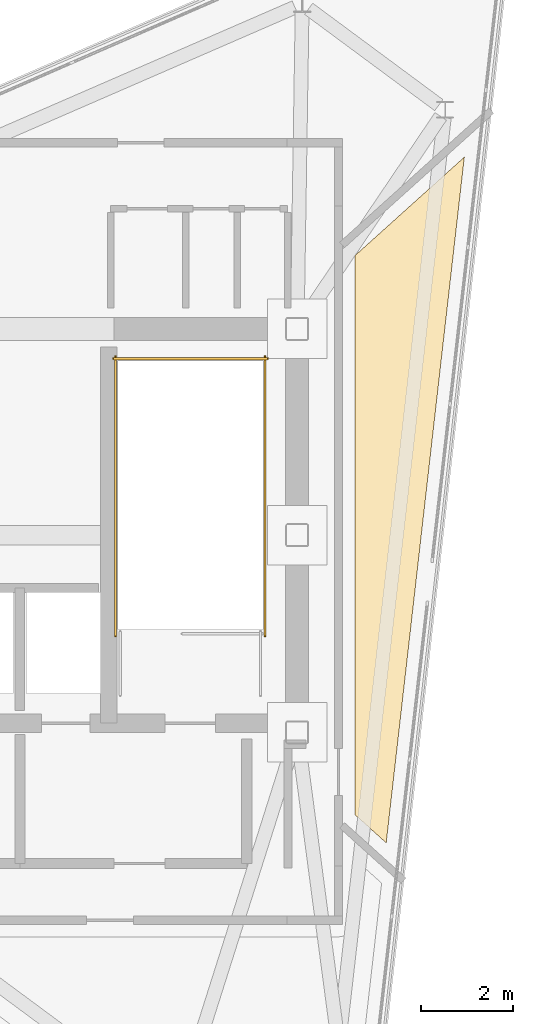
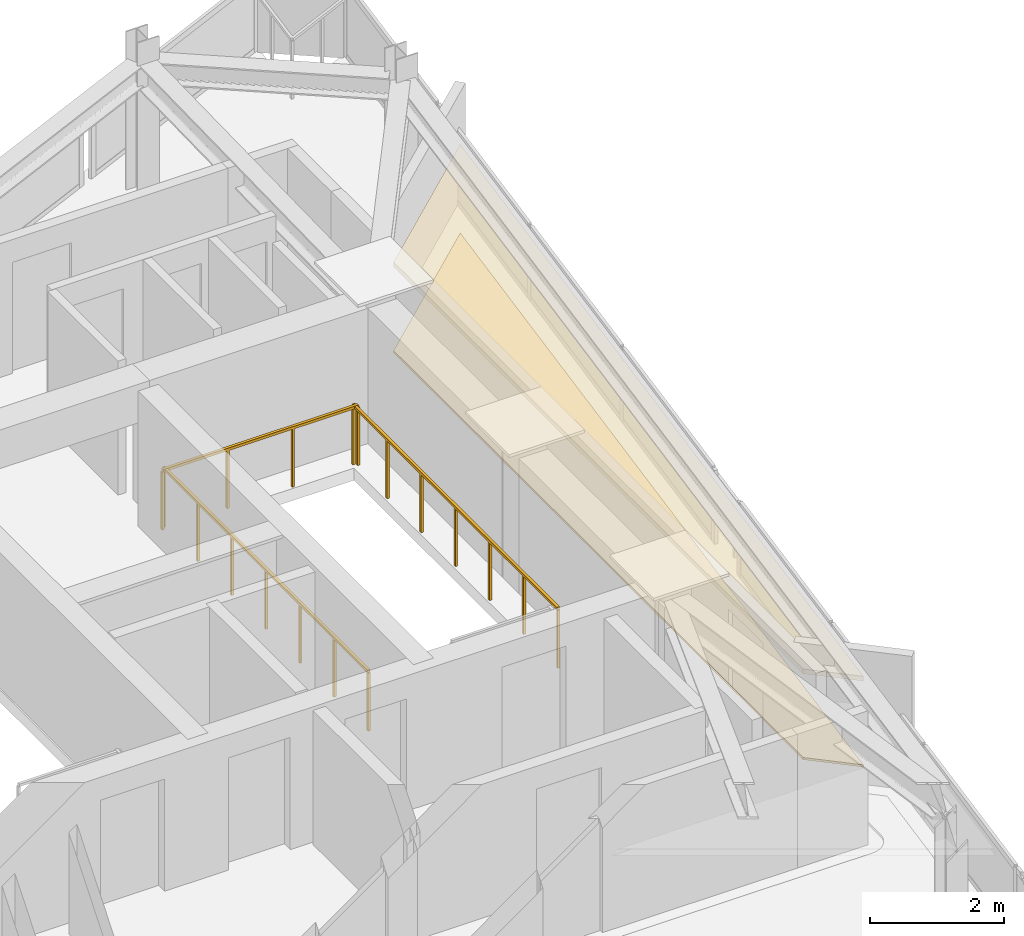
# One storey, part 9 of 9: 3 railings, 2 coverings.
"""IFC4 building model written with IfcOpenShell, lengths in metres."""

from ifc_helpers import new_model, si_unit, direction, frame, origin, origin_2d, place, context, subcontext, project, spatial, polyline, rectangle, outline, extrude, material, layer, layer_set, type_object, element, save


model = new_model("IFC4")

# Units and contexts
model_context = context("Model", 3, precision=1e-05, world=origin(), true_north=direction((0.0, 1.0)))
body_context = subcontext(model_context, "Body", "Model", "MODEL_VIEW")
ifc_project = project(units=[si_unit("LENGTHUNIT", "METRE"), si_unit("AREAUNIT", "SQUARE_METRE"), si_unit("VOLUMEUNIT", "CUBIC_METRE"), si_unit("PLANEANGLEUNIT", "RADIAN"), si_unit("MASSUNIT", "GRAM", prefix="KILO")], contexts=[model_context])

# Site, building, storey
site_placement = place(None, origin())
site = spatial("IfcSite", under=ifc_project, at=site_placement, CompositionType="ELEMENT")
building_placement = place(site_placement, origin())
building = spatial("IfcBuilding", under=site, at=building_placement, Name="Rocaltana Carrier Exchange", CompositionType="ELEMENT")
storey_placement = place(building_placement, frame((0.0, 0.0, 254.8798828125)))
storey = spatial("IfcBuildingStorey", under=building, at=storey_placement, Name="L81", CompositionType="ELEMENT", Elevation=254.8798828125)

# Coverings
ifc_material_1 = material(Name="Honed Bogota Sandstone Tile", Category="masonry")
ifc_layer_1 = layer(ifc_material_1, 0.0400390625)
ifc_layer_set_1 = layer_set([ifc_layer_1], Name="Honed Bogota Sandstone Tile")
covering_type_1 = type_object("IfcCoveringType", Name="Honed Stone Lobby Flooring 40", PredefinedType="FLOORING", material=ifc_layer_set_1)
covering_1_placement = place(storey_placement, origin())
element("IfcCovering", 1, at=covering_1_placement, inside=storey, type_object=covering_type_1, Name="L81 Protocol Calibration Laboratory Finish Floor", PredefinedType="FLOORING", context=body_context, shape_type="SweptSolid", body=[
    extrude(outline(polyline([(7.991455078125, -6.711181640625), (7.31005859375, -6.097412109375), (7.31005859375, 6.097412109375), (9.695556640625, 8.24560546875), (7.991455078125, -6.711181640625)])), origin(), (0.0, 0.0, 1.0), 0.0400390625),
])
ifc_material_2 = material(Name="Anodised Aluminium 6063-T6", Category="aluminium")
ifc_layer_2 = layer(ifc_material_2, 0.0849609375)
ifc_layer_set_2 = layer_set([ifc_layer_2], Name="Anodised Aluminium 6063-T6")
covering_type_2 = type_object("IfcCoveringType", Name="Linear Baffle Acoustic Ceiling 85", PredefinedType="CEILING", material=ifc_layer_set_2)
covering_2_placement = place(storey_placement, frame((0.0, 0.0, 1.563232421875)))
element("IfcCovering", 2, at=covering_2_placement, inside=storey, type_object=covering_type_2, Name="L81 Protocol Calibration Laboratory Acoustic Ceiling", PredefinedType="CEILING", context=body_context, shape_type="SweptSolid", body=[
    extrude(outline(polyline([(7.991455078125, -6.711181640625), (7.31005859375, -6.097412109375), (7.31005859375, 6.097412109375), (9.695556640625, 8.24560546875), (7.991455078125, -6.711181640625)])), origin(), (0.0, 0.0, 1.0), 0.0849609375),
])

# Railings
ifc_material_3 = material(Name="Powder-Coated Aluminium 6063-T6", Category="aluminium")
ifc_layer_3 = layer(ifc_material_3, 0.048095703125)
ifc_layer_set_3 = layer_set([ifc_layer_3], Name="Powder-Coated Aluminium 6063-T6")
railing_type = type_object("IfcRailingType", Name="Stair Well Guardrail 1100", PredefinedType="GUARDRAIL", material=ifc_layer_set_3)
for number, where, name in (
    (3, (5.35009765625, -2.199951171875, 0.0), "L81 ST-2 top well guard 2"),
    (4, (2.090087890625, -2.199951171875, 0.0), "L81 ST-2 top well guard 3"),
):
    element("IfcRailing", number, at=place(storey_placement, frame(where)), inside=storey, type_object=railing_type, Name=name, PredefinedType="GUARDRAIL", context=body_context, shape_type="SweptSolid", body=[
        extrude(rectangle(XDim=0.048095703125, YDim=0.048095703125, at=origin_2d()), frame((0.0, 0.0, 1.076171875), z_axis=(0.0, 1.0, 0.0), x_axis=(-1.0, 0.0, 0.0)), (0.0, 0.0, 1.0), 6.099853515625),
        extrude(rectangle(XDim=0.0419921875, YDim=0.0419921875, at=origin_2d()), origin(), (0.0, 0.0, 1.0), 1.052001953125),
        extrude(rectangle(XDim=0.0419921875, YDim=0.0419921875, at=origin_2d()), frame((0.0, 1.0166015625, 0.0)), (0.0, 0.0, 1.0), 1.052001953125),
        extrude(rectangle(XDim=0.0419921875, YDim=0.0419921875, at=origin_2d()), frame((0.0, 2.033203125, 0.0)), (0.0, 0.0, 1.0), 1.052001953125),
        extrude(rectangle(XDim=0.0419921875, YDim=0.0419921875, at=origin_2d()), frame((0.0, 3.0498046875, 0.0)), (0.0, 0.0, 1.0), 1.052001953125),
        extrude(rectangle(XDim=0.0419921875, YDim=0.0419921875, at=origin_2d()), frame((0.0, 4.066650390625, 0.0)), (0.0, 0.0, 1.0), 1.052001953125),
        extrude(rectangle(XDim=0.0419921875, YDim=0.0419921875, at=origin_2d()), frame((0.0, 5.083251953125, 0.0)), (0.0, 0.0, 1.0), 1.052001953125),
        extrude(rectangle(XDim=0.0419921875, YDim=0.0419921875, at=origin_2d()), frame((0.0, 6.099853515625, 0.0)), (0.0, 0.0, 1.0), 1.052001953125),
    ])
railing_placement = place(storey_placement, frame((5.39990234375, 3.85009765625, 0.0)))
element("IfcRailing", 5, at=railing_placement, inside=storey, type_object=railing_type, Name="L81 ST-2 top well guard 4", PredefinedType="GUARDRAIL", context=body_context, shape_type="SweptSolid", body=[
    extrude(rectangle(XDim=0.048095703125, YDim=0.048095703125, at=origin_2d()), frame((0.0, 0.0, 1.076171875), z_axis=(-1.0, 0.0, 0.0), x_axis=(0.0, -1.0, 0.0)), (0.0, 0.0, 1.0), 3.35986328125),
    extrude(rectangle(XDim=0.0419921875, YDim=0.0419921875, at=origin_2d()), origin(), (0.0, 0.0, 1.0), 1.052001953125),
    extrude(rectangle(XDim=0.0419921875, YDim=0.0419921875, at=origin_2d()), frame((-1.119873046875, 0.0, 0.0)), (0.0, 0.0, 1.0), 1.052001953125),
    extrude(rectangle(XDim=0.0419921875, YDim=0.0419921875, at=origin_2d()), frame((-2.239990234375, 0.0, 0.0)), (0.0, 0.0, 1.0), 1.052001953125),
    extrude(rectangle(XDim=0.0419921875, YDim=0.0419921875, at=origin_2d()), frame((-3.35986328125, 0.0, 0.0)), (0.0, 0.0, 1.0), 1.052001953125),
])

save(model, "model.ifc")
